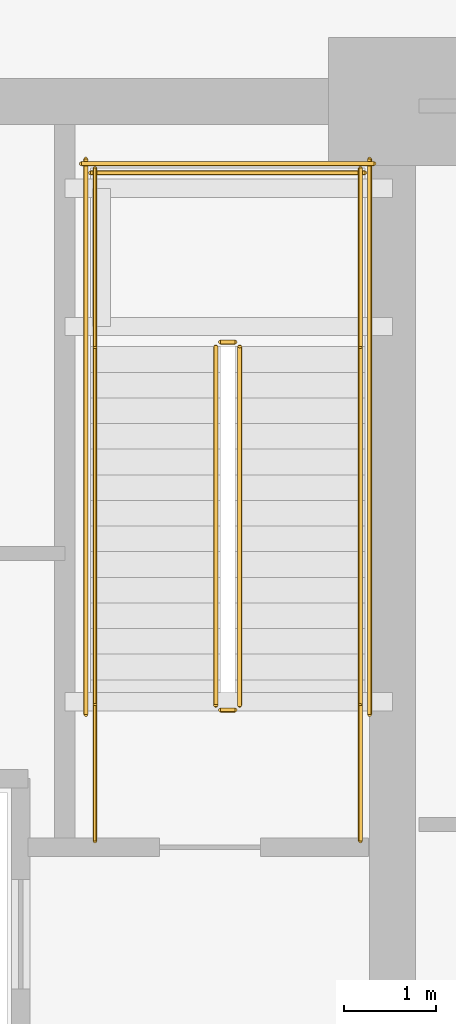
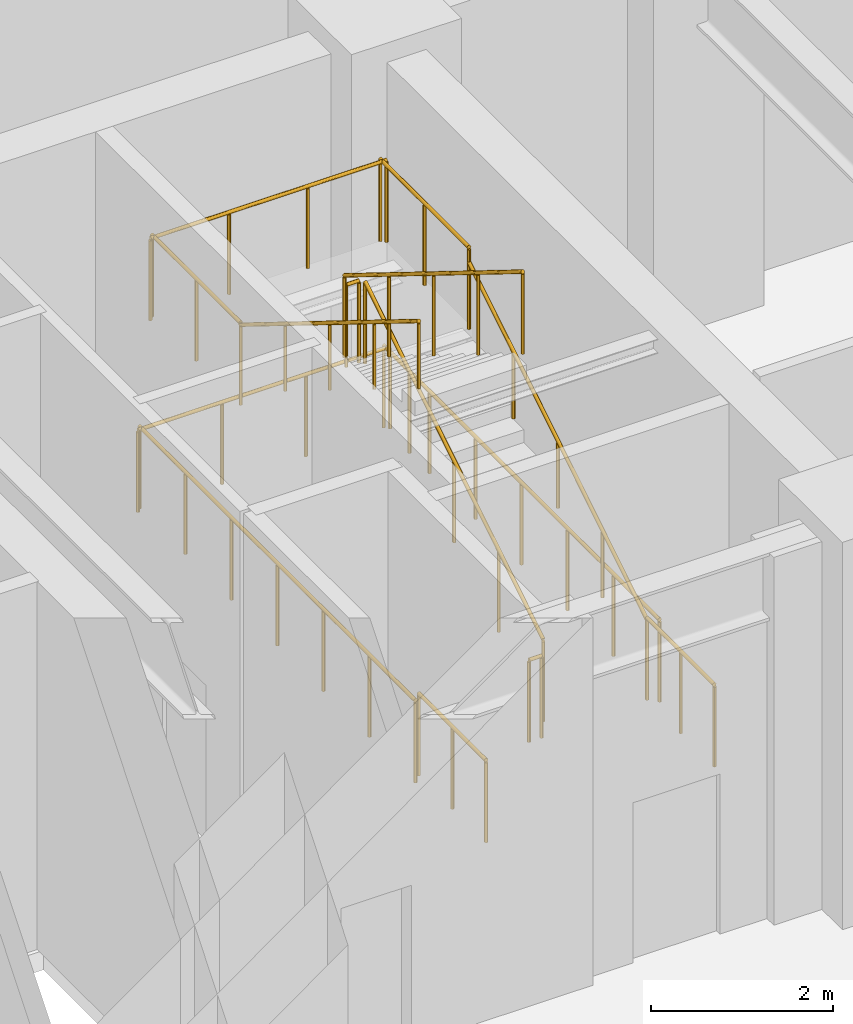
# One storey, part 17 of 19: 14 railings.
"""IFC4 building model written with IfcOpenShell, lengths in metres."""

from ifc_helpers import new_model, si_unit, direction, frame, origin, origin_2d, place, context, subcontext, project, spatial, circle, extrude, material, layer, layer_set, type_object, element, save


model = new_model("IFC4")

# Units and contexts
model_context = context("Model", 3, precision=1e-05, world=origin(), true_north=direction((0.0, 1.0)))
body_context = subcontext(model_context, "Body", "Model", "MODEL_VIEW")
ifc_project = project(units=[si_unit("LENGTHUNIT", "METRE"), si_unit("AREAUNIT", "SQUARE_METRE"), si_unit("VOLUMEUNIT", "CUBIC_METRE"), si_unit("PLANEANGLEUNIT", "RADIAN"), si_unit("MASSUNIT", "GRAM", prefix="KILO")], contexts=[model_context])

# Site, building, storey
site_placement = place(None, origin())
site = spatial("IfcSite", under=ifc_project, at=site_placement, CompositionType="ELEMENT")
building_placement = place(site_placement, origin())
building = spatial("IfcBuilding", under=site, at=building_placement, Name="Yelkora Congress Tower", CompositionType="ELEMENT")
storey_placement = place(building_placement, frame((0.0, 0.0, 5.199951171875)))
storey = spatial("IfcBuildingStorey", under=building, at=storey_placement, Name="L01", CompositionType="ELEMENT", Elevation=5.199951171875)

# Railings
ifc_material_1 = material(Name="Painted galvanised steel stair well guard with vertical infill", Category="steel")
ifc_layer_1 = layer(ifc_material_1, 0.06005859375)
ifc_layer_set_1 = layer_set([ifc_layer_1], Name="Painted galvanised steel stair well guard with vertical infill")
railing_type_1 = type_object("IfcRailingType", Name="RAIL-STAIR-GUARD-1120", PredefinedType="GUARDRAIL", material=ifc_layer_set_1)
railing_1_placement = place(storey_placement, frame((52.090087890625, 39.60009765625, 0.17333984375)))
element("IfcRailing", 1, at=railing_1_placement, inside=storey, type_object=railing_type_1, Name="ST-02 L01 Stair Well Guardrail 1", PredefinedType="GUARDRAIL", context=body_context, shape_type="SweptSolid", body=[
    extrude(circle(Radius=0.02392578125, at=origin_2d()), frame((0.0, 0.0, 1.09619140625), z_axis=(0.0, 0.850251603719, 0.526376491091), x_axis=(-1.0, 0.0, 0.0)), (0.0, 0.0, 1.0), 4.6103515625),
    extrude(circle(Radius=0.02099609375, at=origin_2d()), origin(), (0.0, 0.0, 1.0), 1.072021484375),
    extrude(circle(Radius=0.02099609375, at=origin_2d()), frame((0.0, 0.97998046875, 0.606689453125)), (0.0, 0.0, 1.0), 1.072021484375),
    extrude(circle(Radius=0.02099609375, at=origin_2d()), frame((0.0, 1.9599609375, 1.21337890625)), (0.0, 0.0, 1.0), 1.072021484375),
    extrude(circle(Radius=0.02099609375, at=origin_2d()), frame((0.0, 2.93994140625, 1.820068359375)), (0.0, 0.0, 1.0), 1.072021484375),
    extrude(circle(Radius=0.02099609375, at=origin_2d()), frame((0.0, 3.919921875, 2.4267578125)), (0.0, 0.0, 1.0), 1.072021484375),
])
railing_2_placement = place(storey_placement, frame((52.0400390625, 43.570068359375, 2.60009765625)))
element("IfcRailing", 2, at=railing_2_placement, inside=storey, type_object=railing_type_1, Name="ST-02 L01 Stair Well Guardrail 2", PredefinedType="GUARDRAIL", context=body_context, shape_type="SweptSolid", body=[
    extrude(circle(Radius=0.02392578125, at=origin_2d()), frame((0.0, 0.0, 1.09619140625), z_axis=(-1.0, 0.0, 0.0), x_axis=(0.0, -1.0, 0.0)), (0.0, 0.0, 1.0), 0.16015625),
    extrude(circle(Radius=0.02099609375, at=origin_2d()), origin(), (0.0, 0.0, 1.0), 1.072021484375),
    extrude(circle(Radius=0.02099609375, at=origin_2d()), frame((-0.16015625, 0.0, 0.0)), (0.0, 0.0, 1.0), 1.072021484375),
])
for number, where, name in (
    (3, (53.409912109375, 43.52001953125, 2.60009765625), "ST-02 L01 Stair Well Guardrail 3"),
    (4, (50.510009765625, 43.52001953125, 2.60009765625), "ST-02 L01 Stair Well Guardrail 4"),
):
    element("IfcRailing", number, at=place(storey_placement, frame(where)), inside=storey, type_object=railing_type_1, Name=name, PredefinedType="GUARDRAIL", context=body_context, shape_type="SweptSolid", body=[
        extrude(circle(Radius=0.02392578125, at=origin_2d()), frame((0.0, 0.0, 1.09619140625), z_axis=(0.0, 1.0, 0.0), x_axis=(-1.0, 0.0, 0.0)), (0.0, 0.0, 1.0), 1.949951171875),
        extrude(circle(Radius=0.02099609375, at=origin_2d()), origin(), (0.0, 0.0, 1.0), 1.072021484375),
        extrude(circle(Radius=0.02099609375, at=origin_2d()), frame((0.0, 0.97509765625, 0.0)), (0.0, 0.0, 1.0), 1.072021484375),
        extrude(circle(Radius=0.02099609375, at=origin_2d()), frame((0.0, 1.949951171875, 0.0)), (0.0, 0.0, 1.0), 1.072021484375),
    ])
railing_3_placement = place(storey_placement, frame((53.4599609375, 45.419921875, 2.60009765625)))
element("IfcRailing", 5, at=railing_3_placement, inside=storey, type_object=railing_type_1, Name="ST-02 L01 Stair Well Guardrail 5", PredefinedType="GUARDRAIL", context=body_context, shape_type="SweptSolid", body=[
    extrude(circle(Radius=0.02392578125, at=origin_2d()), frame((0.0, 0.0, 1.09619140625), z_axis=(-1.0, 0.0, 0.0), x_axis=(0.0, -1.0, 0.0)), (0.0, 0.0, 1.0), 3.0),
    extrude(circle(Radius=0.02099609375, at=origin_2d()), origin(), (0.0, 0.0, 1.0), 1.072021484375),
    extrude(circle(Radius=0.02099609375, at=origin_2d()), frame((-1.0, 0.0, 0.0)), (0.0, 0.0, 1.0), 1.072021484375),
    extrude(circle(Radius=0.02099609375, at=origin_2d()), frame((-2.0, 0.0, 0.0)), (0.0, 0.0, 1.0), 1.072021484375),
    extrude(circle(Radius=0.02099609375, at=origin_2d()), frame((-3.0, 0.0, 0.0)), (0.0, 0.0, 1.0), 1.072021484375),
])
railing_4_placement = place(storey_placement, frame((51.830078125, 43.52001953125, 2.7734375)))
element("IfcRailing", 6, at=railing_4_placement, inside=storey, type_object=railing_type_1, Name="ST-02 L01 Stair Well Guardrail 6", PredefinedType="GUARDRAIL", context=body_context, shape_type="SweptSolid", body=[
    extrude(circle(Radius=0.02392578125, at=origin_2d()), frame((0.0, 0.0, 1.09619140625), z_axis=(0.0, -0.850275303828, 0.526338206574), x_axis=(1.0, 0.0, 0.0)), (0.0, 0.0, 1.0), 4.610107421875),
    extrude(circle(Radius=0.02099609375, at=origin_2d()), origin(), (0.0, 0.0, 1.0), 1.072021484375),
    extrude(circle(Radius=0.02099609375, at=origin_2d()), frame((0.0, -0.97998046875, 0.606689453125)), (0.0, 0.0, 1.0), 1.072021484375),
    extrude(circle(Radius=0.02099609375, at=origin_2d()), frame((0.0, -1.9599609375, 1.21337890625)), (0.0, 0.0, 1.0), 1.072021484375),
    extrude(circle(Radius=0.02099609375, at=origin_2d()), frame((0.0, -2.93994140625, 1.81982421875)), (0.0, 0.0, 1.0), 1.072021484375),
    extrude(circle(Radius=0.02099609375, at=origin_2d()), frame((0.0, -3.919921875, 2.426513671875)), (0.0, 0.0, 1.0), 1.072021484375),
])
railing_5_placement = place(storey_placement, frame((52.0400390625, 39.550048828125, 0.0)))
element("IfcRailing", 7, at=railing_5_placement, inside=storey, type_object=railing_type_1, Name="ST-02 L01 Stair Well Guardrail 7", PredefinedType="GUARDRAIL", context=body_context, shape_type="SweptSolid", body=[
    extrude(circle(Radius=0.02392578125, at=origin_2d()), frame((0.0, 0.0, 1.09619140625), z_axis=(-1.0, 0.0, 0.0), x_axis=(0.0, -1.0, 0.0)), (0.0, 0.0, 1.0), 0.16015625),
    extrude(circle(Radius=0.02099609375, at=origin_2d()), origin(), (0.0, 0.0, 1.0), 1.072021484375),
    extrude(circle(Radius=0.02099609375, at=origin_2d()), frame((-0.16015625, 0.0, 0.0)), (0.0, 0.0, 1.0), 1.072021484375),
])
for number, where, name in (
    (8, (53.409912109375, 38.1201171875, 0.0), "ST-02 L01 Stair Well Guardrail 8"),
    (9, (50.510009765625, 38.1201171875, 0.0), "ST-02 L01 Stair Well Guardrail 9"),
):
    element("IfcRailing", number, at=place(storey_placement, frame(where)), inside=storey, type_object=railing_type_1, Name=name, PredefinedType="GUARDRAIL", context=body_context, shape_type="SweptSolid", body=[
        extrude(circle(Radius=0.02392578125, at=origin_2d()), frame((0.0, 0.0, 1.09619140625), z_axis=(0.0, 1.0, 0.0), x_axis=(-1.0, 0.0, 0.0)), (0.0, 0.0, 1.0), 1.47998046875),
        extrude(circle(Radius=0.02099609375, at=origin_2d()), origin(), (0.0, 0.0, 1.0), 1.072021484375),
        extrude(circle(Radius=0.02099609375, at=origin_2d()), frame((0.0, 0.739990234375, 0.0)), (0.0, 0.0, 1.0), 1.072021484375),
        extrude(circle(Radius=0.02099609375, at=origin_2d()), frame((0.0, 1.47998046875, 0.0)), (0.0, 0.0, 1.0), 1.072021484375),
    ])
for number, where, name in (
    (10, (53.510009765625, 39.5, 0.0), "ST-02 L01 Stair Well Guardrail 10"),
    (11, (50.409912109375, 39.5, 0.0), "ST-02 L01 Stair Well Guardrail 11"),
):
    element("IfcRailing", number, at=place(storey_placement, frame(where)), inside=storey, type_object=railing_type_1, Name=name, PredefinedType="GUARDRAIL", context=body_context, shape_type="SweptSolid", body=[
        extrude(circle(Radius=0.02392578125, at=origin_2d()), frame((0.0, 0.0, 1.09619140625), z_axis=(0.0, 1.0, 0.0), x_axis=(-1.0, 0.0, 0.0)), (0.0, 0.0, 1.0), 6.070068359375),
        extrude(circle(Radius=0.02099609375, at=origin_2d()), origin(), (0.0, 0.0, 1.0), 1.072021484375),
        extrude(circle(Radius=0.02099609375, at=origin_2d()), frame((0.0, 1.01171875, 0.0)), (0.0, 0.0, 1.0), 1.072021484375),
        extrude(circle(Radius=0.02099609375, at=origin_2d()), frame((0.0, 2.0234375, 0.0)), (0.0, 0.0, 1.0), 1.072021484375),
        extrude(circle(Radius=0.02099609375, at=origin_2d()), frame((0.0, 3.03515625, 0.0)), (0.0, 0.0, 1.0), 1.072021484375),
        extrude(circle(Radius=0.02099609375, at=origin_2d()), frame((0.0, 4.046630859375, 0.0)), (0.0, 0.0, 1.0), 1.072021484375),
        extrude(circle(Radius=0.02099609375, at=origin_2d()), frame((0.0, 5.058349609375, 0.0)), (0.0, 0.0, 1.0), 1.072021484375),
        extrude(circle(Radius=0.02099609375, at=origin_2d()), frame((0.0, 6.070068359375, 0.0)), (0.0, 0.0, 1.0), 1.072021484375),
    ])
railing_6_placement = place(storey_placement, frame((53.56005859375, 45.52001953125, 0.0)))
element("IfcRailing", 12, at=railing_6_placement, inside=storey, type_object=railing_type_1, Name="ST-02 L01 Stair Well Guardrail 12", PredefinedType="GUARDRAIL", context=body_context, shape_type="SweptSolid", body=[
    extrude(circle(Radius=0.02392578125, at=origin_2d()), frame((0.0, 0.0, 1.09619140625), z_axis=(-1.0, 0.0, 0.0), x_axis=(0.0, -1.0, 0.0)), (0.0, 0.0, 1.0), 3.199951171875),
    extrude(circle(Radius=0.02099609375, at=origin_2d()), origin(), (0.0, 0.0, 1.0), 1.072021484375),
    extrude(circle(Radius=0.02099609375, at=origin_2d()), frame((-1.066650390625, 0.0, 0.0)), (0.0, 0.0, 1.0), 1.072021484375),
    extrude(circle(Radius=0.02099609375, at=origin_2d()), frame((-2.13330078125, 0.0, 0.0)), (0.0, 0.0, 1.0), 1.072021484375),
    extrude(circle(Radius=0.02099609375, at=origin_2d()), frame((-3.199951171875, 0.0, 0.0)), (0.0, 0.0, 1.0), 1.072021484375),
])
ifc_material_2 = material(Name="Brushed stainless steel tubular handrail", Category="steel")
ifc_layer_2 = layer(ifc_material_2, 0.050048828125)
ifc_layer_set_2 = layer_set([ifc_layer_2], Name="Brushed stainless steel tubular handrail")
railing_type_2 = type_object("IfcRailingType", Name="RAIL-STAIR-HAND-920", PredefinedType="HANDRAIL", material=ifc_layer_set_2)
railing_7_placement = place(storey_placement, frame((53.409912109375, 39.60009765625, 0.17333984375)))
element("IfcRailing", 13, at=railing_7_placement, inside=storey, type_object=railing_type_2, Name="ST-02 L01 Pitch Handrail 1", PredefinedType="HANDRAIL", context=body_context, shape_type="SweptSolid", body=[
    extrude(circle(Radius=0.02392578125, at=origin_2d()), frame((0.0, 0.0, 0.89599609375), z_axis=(0.0, 0.850251603719, 0.526376491091), x_axis=(-1.0, 0.0, 0.0)), (0.0, 0.0, 1.0), 4.6103515625),
    extrude(circle(Radius=0.02099609375, at=origin_2d()), origin(), (0.0, 0.0, 1.0), 0.871826171875),
    extrude(circle(Radius=0.02099609375, at=origin_2d()), frame((0.0, 0.97998046875, 0.606689453125)), (0.0, 0.0, 1.0), 0.871826171875),
    extrude(circle(Radius=0.02099609375, at=origin_2d()), frame((0.0, 1.9599609375, 1.21337890625)), (0.0, 0.0, 1.0), 0.871826171875),
    extrude(circle(Radius=0.02099609375, at=origin_2d()), frame((0.0, 2.93994140625, 1.820068359375)), (0.0, 0.0, 1.0), 0.871826171875),
    extrude(circle(Radius=0.02099609375, at=origin_2d()), frame((0.0, 3.919921875, 2.4267578125)), (0.0, 0.0, 1.0), 0.871826171875),
])
railing_8_placement = place(storey_placement, frame((50.510009765625, 43.52001953125, 2.7734375)))
element("IfcRailing", 14, at=railing_8_placement, inside=storey, type_object=railing_type_2, Name="ST-02 L01 Pitch Handrail 2", PredefinedType="HANDRAIL", context=body_context, shape_type="SweptSolid", body=[
    extrude(circle(Radius=0.02392578125, at=origin_2d()), frame((0.0, 0.0, 0.89599609375), z_axis=(0.0, -0.850275303828, 0.526338206574), x_axis=(1.0, 0.0, 0.0)), (0.0, 0.0, 1.0), 4.610107421875),
    extrude(circle(Radius=0.02099609375, at=origin_2d()), origin(), (0.0, 0.0, 1.0), 0.871826171875),
    extrude(circle(Radius=0.02099609375, at=origin_2d()), frame((0.0, -0.97998046875, 0.606689453125)), (0.0, 0.0, 1.0), 0.871826171875),
    extrude(circle(Radius=0.02099609375, at=origin_2d()), frame((0.0, -1.9599609375, 1.21337890625)), (0.0, 0.0, 1.0), 0.871826171875),
    extrude(circle(Radius=0.02099609375, at=origin_2d()), frame((0.0, -2.93994140625, 1.81982421875)), (0.0, 0.0, 1.0), 0.871826171875),
    extrude(circle(Radius=0.02099609375, at=origin_2d()), frame((0.0, -3.919921875, 2.426513671875)), (0.0, 0.0, 1.0), 0.871826171875),
])

save(model, "model.ifc")
